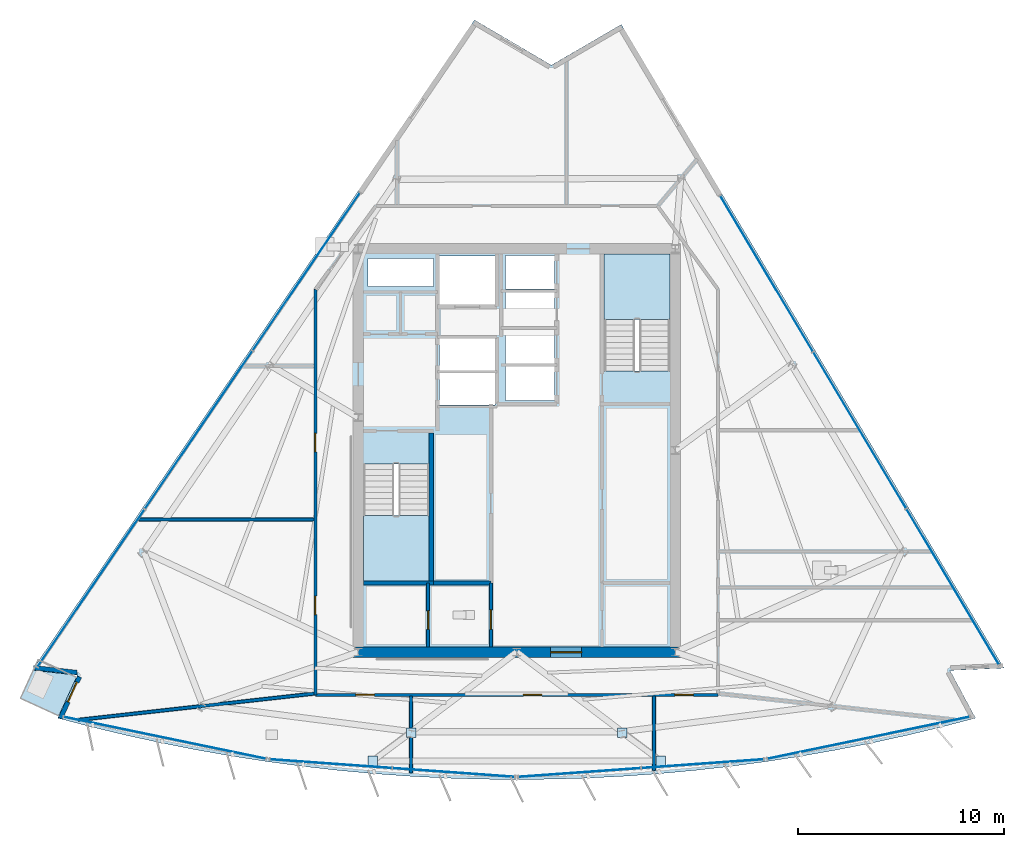
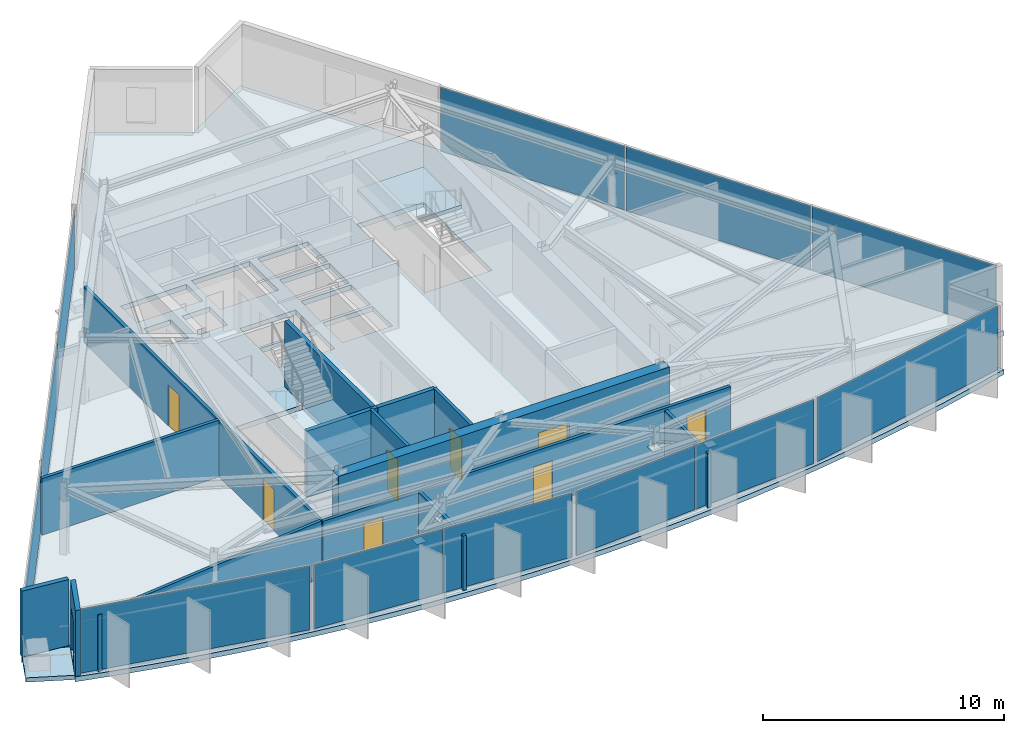
# One storey, part 6 of 12: 16 plates, 14 walls, 9 doors, 4 slabs, 9 openings, 8 elements without a shape of their own.
"""IFC4 building model written with IfcOpenShell, lengths in metres."""

import ifcopenshell
import ifcopenshell.guid

model = None  # the IFC model being written
_history = None  # IfcOwnerHistory: only IFC2X3 demands one
_inside = {}  # id of a spatial element -> (the spatial element, [elements in it])
_under = {}  # id of a project, library or spatial element -> (it, [spatial elements below it])
_declared = {}  # id of a project -> (the project, [libraries it declares])
_typed = {}  # id of a type object -> (the type object, [elements of that type])
_made_of = {}  # id of a material, layer set ... -> (it, [elements and type objects made of it])


def new_model(schema):
    """Start an empty IFC model of exactly this schema.

    Asked for "IFC4X3", IfcOpenShell would pick the latest addendum, in which some entities
    have other attributes; the version numbers below select the first issue.
    IFC2X3 requires an IfcOwnerHistory on every rooted entity: one is made here for all.
    """
    global model, _history
    if schema == "IFC4X3":
        model = ifcopenshell.file(schema_version=(4, 3, 0, 0))
    else:
        model = ifcopenshell.file(schema=schema)
    _inside.clear()
    _under.clear()
    _declared.clear()
    _typed.clear()
    _made_of.clear()
    _history = None
    if model.schema == "IFC2X3":
        org = make("IfcOrganization", Name="unknown")
        user = make(
            "IfcPersonAndOrganization",
            ThePerson=make("IfcPerson", FamilyName="unknown"),
            TheOrganization=org,
        )
        app = make(
            "IfcApplication",
            ApplicationDeveloper=org,
            Version="unknown",
            ApplicationFullName="unknown",
            ApplicationIdentifier="unknown",
        )
        _history = make(
            "IfcOwnerHistory",
            OwningUser=user,
            OwningApplication=app,
            ChangeAction="ADDED",
            CreationDate=0,
        )
    return model


def make(cls, **values):
    """One entity of the class cls with the attributes given. An attribute that is None is left unset."""
    return model.create_entity(
        cls, **{name: value for name, value in values.items() if value is not None}
    )


def rooted(cls, **values):
    """An entity with a GlobalId (a new one), such as an element, a storey or a relation."""
    return make(cls, GlobalId=ifcopenshell.guid.new(), OwnerHistory=_history, **values)


def si_unit(unit_type, name, prefix=None):
    """IfcSIUnit, for example si_unit("LENGTHUNIT", "METRE", prefix="MILLI")."""
    return make("IfcSIUnit", UnitType=unit_type, Prefix=prefix, Name=name)


def assignment(units):
    """IfcUnitAssignment: the units of a project."""
    return None if units is None else make("IfcUnitAssignment", Units=units)


def point(xyz):
    """IfcCartesianPoint."""
    return None if xyz is None else make("IfcCartesianPoint", Coordinates=xyz)


def direction(xyz):
    """IfcDirection."""
    return None if xyz is None else make("IfcDirection", DirectionRatios=xyz)


def frame(location, z_axis=None, x_axis=None):
    """IfcAxis2Placement3D, a coordinate frame: its origin and axes. An axis left out is left unset."""
    return make(
        "IfcAxis2Placement3D",
        Location=point(location),
        Axis=direction(z_axis),
        RefDirection=direction(x_axis),
    )


def frame_2d(location, x_axis=None):
    """IfcAxis2Placement2D, a coordinate frame in the plane: its origin and x axis."""
    return make(
        "IfcAxis2Placement2D", Location=point(location), RefDirection=direction(x_axis)
    )


def origin():
    """The frame at (0, 0, 0) with its axes left unset."""
    return frame((0.0, 0.0, 0.0))


def origin_2d():
    """The frame at (0, 0) in the plane with its x axis left unset."""
    return frame_2d((0.0, 0.0))


def place(relative_to, where):
    """IfcLocalPlacement: puts the frame where relative to a parent placement (None: the world)."""
    return make(
        "IfcLocalPlacement", PlacementRelTo=relative_to, RelativePlacement=where
    )


def context(
    kind, dimensions, precision=None, world=None, true_north=None, identifier=None
):
    """IfcGeometricRepresentationContext, for example the 3D "Model" context."""
    return make(
        "IfcGeometricRepresentationContext",
        ContextIdentifier=identifier,
        ContextType=kind,
        CoordinateSpaceDimension=dimensions,
        Precision=precision,
        WorldCoordinateSystem=world,
        TrueNorth=true_north,
    )


def subcontext(parent, identifier, kind, view, scale=None):
    """IfcGeometricRepresentationSubContext, for example "Body" below "Model"."""
    return make(
        "IfcGeometricRepresentationSubContext",
        ContextIdentifier=identifier,
        ContextType=kind,
        ParentContext=parent,
        TargetScale=scale,
        TargetView=view,
    )


def project(units=None, contexts=None):
    """IfcProject with its units and contexts."""
    return rooted(
        "IfcProject",
        Name="project",
        RepresentationContexts=contexts,
        UnitsInContext=assignment(units),
    )


def spatial(cls, under=None, at=None, **own):
    """A site, building, storey or space (cls), placed at a placement, below another one or the project."""
    s = rooted(cls, ObjectPlacement=at, **own)
    if under is not None:
        _under.setdefault(under.id(), (under, []))[1].append(s)
    return s


def polyline(points):
    """IfcPolyline through the points."""
    return make("IfcPolyline", Points=[point(p) for p in points])


def profile(cls, at=None, kind="AREA", **sizes):
    """A parametric profile (cls). Its sizes go by their IFC names, for example OverallWidth=200.0."""
    return make(cls, ProfileType=kind, Position=at, **sizes)


def rectangle(**sizes):
    """IfcRectangleProfileDef."""
    return profile("IfcRectangleProfileDef", **sizes)


def outline(outer, holes=None, kind="AREA"):
    """IfcArbitraryClosedProfileDef: a profile drawn as a closed curve; with holes, ...WithVoids."""
    if holes is None:
        return make("IfcArbitraryClosedProfileDef", ProfileType=kind, OuterCurve=outer)
    return make(
        "IfcArbitraryProfileDefWithVoids",
        ProfileType=kind,
        OuterCurve=outer,
        InnerCurves=holes,
    )


def extrude(swept, where, along, depth):
    """IfcExtrudedAreaSolid: the profile swept, set in the frame where, extruded along a direction by depth."""
    return make(
        "IfcExtrudedAreaSolid",
        SweptArea=swept,
        Position=where,
        ExtrudedDirection=direction(along),
        Depth=depth,
    )


def shape(context_of_items, identifier, shape_type, items):
    """IfcShapeRepresentation: the items that make up one representation, for example the "Body"."""
    return make(
        "IfcShapeRepresentation",
        ContextOfItems=context_of_items,
        RepresentationIdentifier=identifier,
        RepresentationType=shape_type,
        Items=items,
    )


def material(Name=None, Category=None):
    """IfcMaterial."""
    return make("IfcMaterial", Name=Name, Category=Category)


def layer(
    of_material, thickness, ventilated=None, Name=None, Category=None, Priority=None
):
    """IfcMaterialLayer: one layer of a wall or slab, of a material (None: an air gap)."""
    return make(
        "IfcMaterialLayer",
        Material=of_material,
        LayerThickness=thickness,
        IsVentilated=ventilated,
        Name=Name,
        Category=Category,
        Priority=Priority,
    )


def layer_set(layers, Name=None):
    """IfcMaterialLayerSet."""
    return make("IfcMaterialLayerSet", MaterialLayers=layers, LayerSetName=Name)


def made_of(thing, what):
    """Note that an element or type object is made of a material, layer set ...; save() writes the relation."""
    if what is not None:
        _made_of.setdefault(what.id(), (what, []))[1].append(thing)
    return thing


def type_object(cls, material=None, **own):
    """A type object (cls), such as IfcWallType, which elements share."""
    return made_of(rooted(cls, **own), material)


def element(
    cls,
    number,
    at=None,
    inside=None,
    cuts=None,
    type_object=None,
    material=None,
    context=None,
    identifier="Body",
    shape_type=None,
    held_by="IfcProductDefinitionShape",
    body=None,
    shapes=None,
    **own,
):
    """One element of the class cls, such as IfcWall. Its Tag is "e" and its number.

    at: its placement. inside: the storey or other place that contains it. cuts: it is an
    opening in that element (IfcRelVoidsElement). A single representation is given by context,
    identifier, shape_type and body (its items); several are given by shapes. held_by: the class
    of the entity that holds the representations. save() writes the other relations.
    """
    e = rooted(cls, Tag="e%d" % number, ObjectPlacement=at, **own)
    if body is not None:
        shapes = [shape(context, identifier, shape_type, body)]
    if shapes is not None:
        e.Representation = make(held_by, Representations=shapes)
    if inside is not None:
        _inside.setdefault(inside.id(), (inside, []))[1].append(e)
    if cuts is not None:
        rooted(
            "IfcRelVoidsElement", RelatingBuildingElement=cuts, RelatedOpeningElement=e
        )
    if type_object is not None:
        _typed.setdefault(type_object.id(), (type_object, []))[1].append(e)
    return made_of(e, material)


def fill(opening, filler):
    """IfcRelFillsElement: the door or window that sits in an opening."""
    return rooted(
        "IfcRelFillsElement",
        RelatingOpeningElement=opening,
        RelatedBuildingElement=filler,
    )


def aggregate(whole, parts):
    """IfcRelAggregates: a whole, such as a stair, and the parts it consists of."""
    return rooted("IfcRelAggregates", RelatingObject=whole, RelatedObjects=parts)


def save(model, path):
    """Write the relations noted so far, then the file.

    IfcRelAggregates (storeys below a building ...), IfcRelContainedInSpatialStructure (elements
    in a storey), IfcRelDefinesByType, IfcRelAssociatesMaterial and IfcRelDeclares: one each for
    every whole, place, type object, material and project.
    """
    for whole, parts in _under.values():
        aggregate(whole, parts)
    for where, things in _inside.values():
        rooted(
            "IfcRelContainedInSpatialStructure",
            RelatedElements=things,
            RelatingStructure=where,
        )
    for kind, things in _typed.values():
        rooted("IfcRelDefinesByType", RelatedObjects=things, RelatingType=kind)
    for what, things in _made_of.values():
        rooted("IfcRelAssociatesMaterial", RelatedObjects=things, RelatingMaterial=what)
    for by, libraries in _declared.values():
        rooted("IfcRelDeclares", RelatingContext=by, RelatedDefinitions=libraries)
    model.write(path)


model = new_model("IFC4")

# Units and contexts
model_context = context("Model", 3, precision=1e-05, world=origin(), true_north=direction((0.0, 1.0)))
body_context = subcontext(model_context, "Body", "Model", "MODEL_VIEW")
ifc_project = project(units=[si_unit("LENGTHUNIT", "METRE"), si_unit("AREAUNIT", "SQUARE_METRE"), si_unit("VOLUMEUNIT", "CUBIC_METRE"), si_unit("PLANEANGLEUNIT", "RADIAN"), si_unit("MASSUNIT", "GRAM", prefix="KILO")], contexts=[model_context])

# Site, building, storey
site_placement = place(None, origin())
site = spatial("IfcSite", under=ifc_project, at=site_placement, CompositionType="ELEMENT")
building_placement = place(site_placement, origin())
building = spatial("IfcBuilding", under=site, at=building_placement, Name="Savorim Split Tower", CompositionType="ELEMENT")
storey_placement = place(building_placement, frame((0.0, 0.0, 279.60009765625)))
storey = spatial("IfcBuildingStorey", under=building, at=storey_placement, Name="L74", CompositionType="ELEMENT", Elevation=279.60009765625)

# Curtain wall, plate
ifc_material_1 = material(Name="Dark Ceramic-Fritted Insulated Glass", Category="glass")
curtain_wall_type = type_object("IfcCurtainWallType", Name="CW-TWR-FRIT-B", PredefinedType="NOTDEFINED", material=ifc_material_1)
curtain_wall_1_placement = place(storey_placement, origin())
curtain_wall_1 = element("IfcCurtainWall", 1, at=curtain_wall_1_placement, inside=storey, type_object=curtain_wall_type, Name="L74 Curtain Wall CW-L74-SF1", PredefinedType="NOTDEFINED")
ifc_layer_1 = layer(ifc_material_1, 0.02587890625)
ifc_layer_set_1 = layer_set([ifc_layer_1], Name="CWP-FRITB-26")
plate_type_1 = type_object("IfcPlateType", Name="CWP-FRITB-26", PredefinedType="CURTAIN_PANEL", material=ifc_layer_set_1)
plate_1_placement = place(storey_placement, frame((-17.09716796875, -13.56201171875, 0.0498046875), z_axis=(0.0, 0.0, 1.0), x_axis=(0.979134690247, -0.20321234794, 0.0)))
plate_1 = element("IfcPlate", 2, at=plate_1_placement, type_object=plate_type_1, Name="CW-03 panel 1.1", PredefinedType="CURTAIN_PANEL", context=body_context, shape_type="SweptSolid", body=[
    extrude(rectangle(XDim=10.00537109375, YDim=0.02587890625, at=origin_2d()), origin(), (0.0, 0.0, 1.0), 3.25),
])
aggregate(curtain_wall_1, [plate_1])

# Curtain wall, plates
curtain_wall_2_placement = place(storey_placement, origin())
curtain_wall_2 = element("IfcCurtainWall", 3, at=curtain_wall_2_placement, inside=storey, type_object=curtain_wall_type, Name="L74 Curtain Wall CW-L74-SF2", PredefinedType="NOTDEFINED")
plate_2_placement = place(storey_placement, frame((-9.02587890625, -14.821044921875, 0.0498046875), z_axis=(0.0, 0.0, 1.0), x_axis=(0.99743643202, -0.071558116795, 0.0)))
plate_2 = element("IfcPlate", 4, at=plate_2_placement, type_object=plate_type_1, Name="CW-03 panel 1.1", PredefinedType="CURTAIN_PANEL", context=body_context, shape_type="SweptSolid", body=[
    extrude(rectangle(XDim=5.91845703125, YDim=0.02587890625, at=origin_2d()), origin(), (0.0, 0.0, 1.0), 3.25),
])
plate_3_placement = place(storey_placement, frame((-3.062744140625, -15.2490234375, 0.0498046875), z_axis=(0.0, 0.0, 1.0), x_axis=(0.99743643202, -0.071558116795, 0.0)))
plate_3 = element("IfcPlate", 5, at=plate_3_placement, type_object=plate_type_1, Name="CW-03 panel 2.1", PredefinedType="CURTAIN_PANEL", context=body_context, shape_type="SweptSolid", body=[
    extrude(rectangle(XDim=5.91845703125, YDim=0.02587890625, at=origin_2d()), origin(), (0.0, 0.0, 1.0), 3.25),
])
aggregate(curtain_wall_2, [plate_2, plate_3])

curtain_wall_3_placement = place(storey_placement, origin())
curtain_wall_3 = element("IfcCurtainWall", 6, at=curtain_wall_3_placement, inside=storey, type_object=curtain_wall_type, Name="L74 Curtain Wall CW-L74-SF3", PredefinedType="NOTDEFINED")
plate_4_placement = place(storey_placement, frame((3.062744140625, -15.2490234375, 0.0498046875), z_axis=(0.0, 0.0, 1.0), x_axis=(0.99743643202, 0.071558116795, 0.0)))
plate_4 = element("IfcPlate", 7, at=plate_4_placement, type_object=plate_type_1, Name="CW-03 panel 1.1", PredefinedType="CURTAIN_PANEL", context=body_context, shape_type="SweptSolid", body=[
    extrude(rectangle(XDim=5.91845703125, YDim=0.02587890625, at=origin_2d()), origin(), (0.0, 0.0, 1.0), 3.25),
])
plate_5_placement = place(storey_placement, frame((9.02587890625, -14.821044921875, 0.0498046875), z_axis=(0.0, 0.0, 1.0), x_axis=(0.99743643202, 0.071558116795, 0.0)))
plate_5 = element("IfcPlate", 8, at=plate_5_placement, type_object=plate_type_1, Name="CW-03 panel 2.1", PredefinedType="CURTAIN_PANEL", context=body_context, shape_type="SweptSolid", body=[
    extrude(rectangle(XDim=5.91845703125, YDim=0.02587890625, at=origin_2d()), origin(), (0.0, 0.0, 1.0), 3.25),
])
aggregate(curtain_wall_3, [plate_4, plate_5])

# Curtain wall, plate
curtain_wall_4_placement = place(storey_placement, origin())
curtain_wall_4 = element("IfcCurtainWall", 9, at=curtain_wall_4_placement, inside=storey, type_object=curtain_wall_type, Name="L74 Curtain Wall CW-L74-SF4", PredefinedType="NOTDEFINED")
plate_6_placement = place(storey_placement, frame((17.09716796875, -13.56201171875, 0.0498046875), z_axis=(0.0, 0.0, 1.0), x_axis=(0.979134690247, 0.20321234794, 0.0)))
plate_6 = element("IfcPlate", 10, at=plate_6_placement, type_object=plate_type_1, Name="CW-03 panel 1.1", PredefinedType="CURTAIN_PANEL", context=body_context, shape_type="SweptSolid", body=[
    extrude(rectangle(XDim=10.00537109375, YDim=0.02587890625, at=origin_2d()), origin(), (0.0, 0.0, 1.0), 3.25),
])
aggregate(curtain_wall_4, [plate_6])

# Curtain wall, plates
curtain_wall_5_placement = place(storey_placement, origin())
curtain_wall_5 = element("IfcCurtainWall", 11, at=curtain_wall_5_placement, inside=storey, type_object=curtain_wall_type, Name="L74 Curtain Wall CW-L74-EAST", PredefinedType="NOTDEFINED")
plate_7_placement = place(storey_placement, frame((21.18701171875, -6.226318359375, 0.0498046875), z_axis=(0.0, 0.0, 1.0), x_axis=(-0.511091684727, 0.859526200766, 0.0)))
plate_7 = element("IfcPlate", 12, at=plate_7_placement, type_object=plate_type_1, Name="CW-03 panel 1.1", PredefinedType="CURTAIN_PANEL", context=body_context, shape_type="SweptSolid", body=[
    extrude(rectangle(XDim=8.775390625, YDim=0.02587890625, at=origin_2d()), origin(), (0.0, 0.0, 1.0), 3.25),
])
plate_8_placement = place(storey_placement, frame((16.66357421875, 1.380615234375, 0.0498046875), z_axis=(0.0, 0.0, 1.0), x_axis=(-0.511091684727, 0.859526200766, 0.0)))
plate_8 = element("IfcPlate", 13, at=plate_8_placement, type_object=plate_type_1, Name="CW-03 panel 2.1", PredefinedType="CURTAIN_PANEL", context=body_context, shape_type="SweptSolid", body=[
    extrude(rectangle(XDim=8.80517578125, YDim=0.02587890625, at=origin_2d()), origin(), (0.0, 0.0, 1.0), 3.25),
])
plate_9_placement = place(storey_placement, frame((12.140380859375, 8.98779296875, 0.0498046875), z_axis=(0.0, 0.0, 1.0), x_axis=(-0.511091684727, 0.859526200766, 0.0)))
plate_9 = element("IfcPlate", 14, at=plate_9_placement, type_object=plate_type_1, Name="CW-03 panel 3.1", PredefinedType="CURTAIN_PANEL", context=body_context, shape_type="SweptSolid", body=[
    extrude(rectangle(XDim=8.775390625, YDim=0.02587890625, at=origin_2d()), origin(), (0.0, 0.0, 1.0), 3.25),
])
aggregate(curtain_wall_5, [plate_7, plate_8, plate_9])

curtain_wall_6_placement = place(storey_placement, origin())
curtain_wall_6 = element("IfcCurtainWall", 15, at=curtain_wall_6_placement, inside=storey, type_object=curtain_wall_type, Name="L74 Curtain Wall CW-L74-WEST", PredefinedType="NOTDEFINED")
plate_10_placement = place(storey_placement, frame((-10.220703125, 9.082275390625, 0.0498046875), z_axis=(0.0, 0.0, 1.0), x_axis=(-0.562470084107, -0.826817636776, 0.0)))
plate_10 = element("IfcPlate", 16, at=plate_10_placement, type_object=plate_type_1, Name="CW-03 panel 1.1", PredefinedType="CURTAIN_PANEL", context=body_context, shape_type="SweptSolid", body=[
    extrude(rectangle(XDim=9.22265625, YDim=0.02587890625, at=origin_2d()), origin(), (0.0, 0.0, 1.0), 3.25),
])
plate_11_placement = place(storey_placement, frame((-15.450439453125, 1.394775390625, 0.0498046875), z_axis=(0.0, 0.0, 1.0), x_axis=(-0.562470084107, -0.826817636776, 0.0)))
plate_11 = element("IfcPlate", 17, at=plate_11_placement, type_object=plate_type_1, Name="CW-03 panel 2.1", PredefinedType="CURTAIN_PANEL", context=body_context, shape_type="SweptSolid", body=[
    extrude(rectangle(XDim=9.252685546875, YDim=0.02587890625, at=origin_2d()), origin(), (0.0, 0.0, 1.0), 3.25),
])
plate_12_placement = place(storey_placement, frame((-20.679931640625, -6.292724609375, 0.0498046875), z_axis=(0.0, 0.0, 1.0), x_axis=(-0.562470084107, -0.826817636776, 0.0)))
plate_12 = element("IfcPlate", 18, at=plate_12_placement, type_object=plate_type_1, Name="CW-03 panel 3.1", PredefinedType="CURTAIN_PANEL", context=body_context, shape_type="SweptSolid", body=[
    extrude(rectangle(XDim=9.22265625, YDim=0.02587890625, at=origin_2d()), origin(), (0.0, 0.0, 1.0), 3.25),
])
aggregate(curtain_wall_6, [plate_10, plate_11, plate_12])

# Plates
ifc_material_2 = material(Name="Steel S460", Category="steel")
ifc_layer_2 = layer(ifc_material_2, 0.02490234375)
ifc_layer_set_2 = layer_set([ifc_layer_2], Name="PLT-NODE-CN1")
plate_type_2 = type_object("IfcPlateType", Name="PLT-NODE-CN1", PredefinedType="SHEET", material=ifc_layer_set_2)
for number, where, z_axis, x_axis, name in (
    (19, (-5.1220703125, -13.305419921875, 2.4375), (0.0, 0.0, 1.0), (1.0, 0.0, 0.0), "L74 Bay Strut Column Gusset Plate 1"),
    (20, (-6.989013671875, -14.681884765625, 2.807373046875), (0.0, 0.0, 1.0), (1.0, 0.0, 0.0), "L74 Bay Strut Tip Gusset Plate 1"),
    (21, (5.1220703125, -13.305419921875, 2.4375), (0.0, 0.0, 1.0), (1.0, 0.0, 0.0), "L74 Bay Strut Column Gusset Plate 2"),
    (22, (6.989013671875, -14.681884765625, 2.807373046875), (0.0, 0.0, 1.0), (1.0, 0.0, 0.0), "L74 Bay Strut Tip Gusset Plate 2"),
):
    element("IfcPlate", number, at=place(storey_placement, frame(where, z_axis=z_axis, x_axis=x_axis)), inside=storey, type_object=plate_type_2, Name=name, PredefinedType="SHEET", context=body_context, shape_type="SweptSolid", body=[
        extrude(rectangle(XDim=0.4599609375, YDim=0.4599609375, at=origin_2d()), origin(), (0.0, 0.0, 1.0), 0.02490234375),
    ])

# Slab
ifc_material_3 = material(Name="Concrete C50/60", Category="concrete")
ifc_layer_3 = layer(ifc_material_3, 0.219970703125)
ifc_layer_set_3 = layer_set([ifc_layer_3], Name="SLB-BAL-220")
slab_type_1 = type_object("IfcSlabType", Name="SLB-BAL-220", PredefinedType="FLOOR", material=ifc_layer_set_3)
slab_1_placement = place(storey_placement, frame((0.0, 0.0, -0.22021484375)))
element("IfcSlab", 23, at=slab_1_placement, inside=storey, type_object=slab_type_1, Name="L74 Notched Corner Planted Tree Balcony Slab", PredefinedType="FLOOR", context=body_context, shape_type="SweptSolid", body=[
    extrude(outline(polyline([(-22.24853515625, -12.494873046875), (-21.3876953125, -10.62158203125), (-21.6982421875, -10.47900390625), (-23.481201171875, -10.27978515625), (-24.106689453125, -11.64111328125), (-22.24853515625, -12.494873046875)])), origin(), (0.0, 0.0, 1.0), 0.22021484375),
])

# Stair, slab
stair_type = type_object("IfcStairType", Name="STR-DOG-3600", PredefinedType="HALF_TURN_STAIR", material=ifc_material_3)
stair_1_placement = place(storey_placement, origin())
stair_1 = element("IfcStair", 24, at=stair_1_placement, inside=storey, type_object=stair_type, Name="L74 Core Protected Exit Stair ST-1", PredefinedType="HALF_TURN_STAIR")
ifc_layer_4 = layer(ifc_material_3, 0.199951171875)
ifc_layer_set_4 = layer_set([ifc_layer_4], Name="SLB-LND-200")
slab_type_2 = type_object("IfcSlabType", Name="SLB-LND-200", PredefinedType="LANDING", material=ifc_layer_set_4)
slab_2_placement = place(storey_placement, frame((0.0, 0.0, 1.599853515625)))
slab_2 = element("IfcSlab", 25, at=slab_2_placement, type_object=slab_type_2, Name="ST-1 landing 1", PredefinedType="LANDING", context=body_context, shape_type="SweptSolid", body=[
    extrude(outline(polyline([(-7.449951171875, -2.77001953125), (-7.449951171875, -5.949951171875), (-4.25, -5.949951171875), (-4.25, -2.77001953125), (-7.449951171875, -2.77001953125)])), origin(), (0.0, 0.0, 1.0), 0.199951171875),
])
aggregate(stair_1, [slab_2])

stair_2_placement = place(storey_placement, origin())
stair_2 = element("IfcStair", 26, at=stair_2_placement, inside=storey, type_object=stair_type, Name="L74 Core Protected Exit Stair ST-2", PredefinedType="HALF_TURN_STAIR")
slab_3_placement = place(storey_placement, frame((0.0, 0.0, 1.599853515625)))
slab_3 = element("IfcSlab", 27, at=slab_3_placement, type_object=slab_type_2, Name="ST-2 landing 1", PredefinedType="LANDING", context=body_context, shape_type="SweptSolid", body=[
    extrude(outline(polyline([(7.449951171875, 6.77001953125), (7.449951171875, 9.949951171875), (4.25, 9.949951171875), (4.25, 6.77001953125), (7.449951171875, 6.77001953125)])), origin(), (0.0, 0.0, 1.0), 0.199951171875),
])
aggregate(stair_2, [slab_3])

# Slab
ifc_layer_5 = layer(ifc_material_3, 0.25)
ifc_layer_set_5 = layer_set([ifc_layer_5], Name="SLB-TWR-250")
slab_type_3 = type_object("IfcSlabType", Name="SLB-TWR-250", PredefinedType="FLOOR", material=ifc_layer_set_5)
slab_4_placement = place(storey_placement, frame((0.0, 0.0, -0.25)))
element("IfcSlab", 28, at=slab_4_placement, inside=storey, type_object=slab_type_3, Name="L74 Structural Floor Slab", PredefinedType="FLOOR", context=body_context, shape_type="SweptSolid", body=[
    extrude(outline(polyline([(-22.2939453125, -12.60595703125), (-20.615234375, -13.045166015625), (-18.927734375, -13.44970703125), (-17.232421875, -13.819580078125), (-15.52978515625, -14.15478515625), (-13.820556640625, -14.455078125), (-12.105712890625, -14.720458984375), (-10.3857421875, -14.95068359375), (-8.66162109375, -15.1455078125), (-6.93359375, -15.30517578125), (-5.20263671875, -15.42919921875), (-3.4697265625, -15.51806640625), (-1.735107421875, -15.5712890625), (0.0, -15.589111328125), (1.735107421875, -15.5712890625), (3.4697265625, -15.51806640625), (5.20263671875, -15.42919921875), (6.93359375, -15.30517578125), (8.66162109375, -15.1455078125), (10.3857421875, -14.95068359375), (12.105712890625, -14.720458984375), (13.820556640625, -14.455078125), (15.52978515625, -14.15478515625), (17.232421875, -13.819580078125), (18.927734375, -13.44970703125), (20.615234375, -13.045166015625), (22.2939453125, -12.60595703125), (21.050537109375, -10.288818359375), (23.67578125, -10.177001953125), (5.08203125, 21.0927734375), (1.687744140625, 19.114501953125), (-2.047607421875, 21.31005859375), (-23.530517578125, -10.269287109375), (-21.333251953125, -10.514892578125), (-22.2939453125, -12.60595703125)]), holes=[polyline([(-7.449951171875, -0.25390625), (-7.449951171875, -5.949951171875), (-4.25, -5.949951171875), (-4.25, -0.25390625), (-7.449951171875, -0.25390625)]), polyline([(7.449951171875, 4.25390625), (7.449951171875, 9.949951171875), (4.25, 9.949951171875), (4.25, 4.25390625), (7.449951171875, 4.25390625)]), polyline([(-0.550048828125, 2.830078125), (1.85009765625, 2.830078125), (1.85009765625, 4.469970703125), (-0.550048828125, 4.469970703125), (-0.550048828125, 2.830078125)]), polyline([(-0.550048828125, 4.6298828125), (1.85009765625, 4.6298828125), (1.85009765625, 6.27001953125), (-0.550048828125, 6.27001953125), (-0.550048828125, 4.6298828125)]), polyline([(-0.550048828125, 6.429931640625), (1.85009765625, 6.429931640625), (1.85009765625, 8.070068359375), (-0.550048828125, 8.070068359375), (-0.550048828125, 6.429931640625)]), polyline([(-0.550048828125, 8.22998046875), (1.85009765625, 8.22998046875), (1.85009765625, 9.8701171875), (-0.550048828125, 9.8701171875), (-0.550048828125, 8.22998046875)]), polyline([(-3.75, 2.60009765625), (-1.050048828125, 2.60009765625), (-1.050048828125, 4.159912109375), (-3.75, 4.159912109375), (-3.75, 2.60009765625)]), polyline([(-3.75, 4.280029296875), (-1.050048828125, 4.280029296875), (-1.050048828125, 5.840087890625), (-3.75, 5.840087890625), (-3.75, 4.280029296875)]), polyline([(-3.75, 7.449951171875), (-0.949951171875, 7.449951171875), (-0.949951171875, 9.85009765625), (-3.75, 9.85009765625), (-3.75, 7.449951171875)]), polyline([(-7.219970703125, 6.320068359375), (-5.919921875, 6.320068359375), (-5.919921875, 7.820068359375), (-7.219970703125, 7.820068359375), (-7.219970703125, 6.320068359375)]), polyline([(-5.3798828125, 6.320068359375), (-4.050048828125, 6.320068359375), (-4.050048828125, 7.820068359375), (-5.3798828125, 7.820068359375), (-5.3798828125, 6.320068359375)]), polyline([(-7.219970703125, 8.360107421875), (-4.050048828125, 8.360107421875), (-4.050048828125, 9.719970703125), (-7.219970703125, 9.719970703125), (-7.219970703125, 8.360107421875)])]), origin(), (0.0, 0.0, 1.0), 0.25),
])

# Wall, opening, door
ifc_material_4 = material(Name="Concrete C60/75", Category="concrete")
ifc_layer_6 = layer(ifc_material_4, 0.5)
ifc_layer_set_6 = layer_set([ifc_layer_6], Name="WAL-COR-SH500")
wall_type_1 = type_object("IfcWallType", Name="WAL-COR-SH500", PredefinedType="SHEAR", material=ifc_layer_set_6)
wall_1_placement = place(storey_placement, frame((-7.949951171875, -9.39990234375, 0.0), z_axis=(0.0, 0.0, 1.0), x_axis=(1.0, 0.0, 0.0)))
wall_1 = element("IfcWall", 29, at=wall_1_placement, inside=storey, type_object=wall_type_1, Name="L74 Offset Core South Shear Wall", PredefinedType="SHEAR", context=body_context, shape_type="SweptSolid", body=[
    extrude(rectangle(XDim=15.89990234375, YDim=0.5, at=frame_2d((7.949951171875, 0.0))), origin(), (0.0, 0.0, 1.0), 3.349853515625),
])
opening_1_placement = place(wall_1_placement, frame((9.60009765625, 0.0, 0.0)))
opening_1 = element("IfcOpeningElement", 30, at=opening_1_placement, cuts=wall_1, Name="Opening DI-02", PredefinedType="OPENING", context=body_context, shape_type="SweptSolid", body=[
    extrude(rectangle(XDim=1.5, YDim=2.199951171875, at=frame_2d((0.75, 1.10009765625))), frame((0.0, 0.260009765625, 0.0), z_axis=(0.0, -1.0, 0.0), x_axis=(1.0, 0.0, 0.0)), (0.0, 0.0, 1.0), 0.52001953125),
])
ifc_material_5 = material(Name="Timber Fire Door Leaf", Category="wood")
door_type_1 = type_object("IfcDoorType", Name="DOR-DBL-1500", OperationType="NOTDEFINED", PredefinedType="DOOR", material=ifc_material_5)
door_1_placement = place(opening_1_placement, origin())
door_1 = element("IfcDoor", 31, at=door_1_placement, inside=storey, type_object=door_type_1, Name="DOR-L74-COR-LLOB - L74 Lift Lobby Main Rated Door", OperationType="DOUBLE_DOOR_SINGLE_SWING", OverallHeight=2.199951171875, OverallWidth=1.5, PredefinedType="DOOR", context=body_context, shape_type="SweptSolid", body=[
    extrude(rectangle(XDim=1.5, YDim=2.199951171875, at=frame_2d((0.75, 1.10009765625))), frame((0.0, 0.02490234375, 0.0), z_axis=(0.0, -1.0, 0.0), x_axis=(1.0, 0.0, 0.0)), (0.0, 0.0, 1.0), 0.050048828125),
])
fill(opening_1, door_1)

# Wall
ifc_material_6 = material(Name="Precast concrete C40/50", Category="concrete")
ifc_layer_7 = layer(ifc_material_6, 0.219970703125)
ifc_layer_set_7 = layer_set([ifc_layer_7], Name="WAL-EXT-CRN220")
wall_type_2 = type_object("IfcWallType", Name="WAL-EXT-CRN220", PredefinedType="SOLIDWALL", material=ifc_layer_set_7)
wall_2_placement = place(storey_placement, frame((-21.359619140625, -10.39111328125, 0.0), z_axis=(0.0, 0.0, 1.0), x_axis=(-0.993817888275, 0.111022542511, 0.0)))
element("IfcWall", 32, at=wall_2_placement, inside=storey, type_object=wall_type_2, Name="L74 Notched Corner Facade Wall SW1", PredefinedType="SOLIDWALL", context=body_context, shape_type="SweptSolid", body=[
    extrude(rectangle(XDim=2.130859375, YDim=0.219970703125, at=frame_2d((1.0654296875, 0.0))), origin(), (0.0, 0.0, 1.0), 3.349853515625),
])

# Wall, opening, door
wall_3_placement = place(storey_placement, frame((-22.168212890625, -12.619873046875, 0.0), z_axis=(0.0, 0.0, 1.0), x_axis=(0.417426589535, 0.908710648308, 0.0)))
wall_3 = element("IfcWall", 33, at=wall_3_placement, inside=storey, type_object=wall_type_2, Name="L74 Notched Corner Facade Wall SW", PredefinedType="SOLIDWALL", context=body_context, shape_type="SweptSolid", body=[
    extrude(rectangle(XDim=2.221435546875, YDim=0.219970703125, at=frame_2d((1.11083984375, 0.0))), origin(), (0.0, 0.0, 1.0), 3.349853515625),
])
opening_2_placement = place(wall_3_placement, frame((0.8857421875, 0.0, 0.0)))
opening_2 = element("IfcOpeningElement", 34, at=opening_2_placement, cuts=wall_3, Name="Opening DB-01", PredefinedType="OPENING", context=body_context, shape_type="SweptSolid", body=[
    extrude(rectangle(XDim=1.050048828125, YDim=2.14990234375, at=frame_2d((0.52490234375, 1.074951171875))), frame((0.0, 0.119873046875, 0.0), z_axis=(0.0, -1.0, 0.0), x_axis=(1.0, 0.0, 0.0)), (0.0, 0.0, 1.0), 0.239990234375),
])
ifc_material_7 = material(Name="Charcoal Anodised Aluminium", Category="aluminium")
door_type_2 = type_object("IfcDoorType", Name="DOR-BAL-1050", OperationType="NOTDEFINED", PredefinedType="DOOR", material=ifc_material_7)
door_2_placement = place(opening_2_placement, origin())
door_2 = element("IfcDoor", 35, at=door_2_placement, inside=storey, type_object=door_type_2, Name="DOR-L74-TBAL-SW - L74 Planted Tree Balcony Door SW", OperationType="SINGLE_SWING_LEFT", OverallHeight=2.14990234375, OverallWidth=1.050048828125, PredefinedType="DOOR", context=body_context, shape_type="SweptSolid", body=[
    extrude(rectangle(XDim=1.050048828125, YDim=2.14990234375, at=frame_2d((0.52490234375, 1.074951171875))), frame((0.0, 0.02490234375, 0.0), z_axis=(0.0, -1.0, 0.0), x_axis=(1.0, 0.0, 0.0)), (0.0, 0.0, 1.0), 0.050048828125),
])
fill(opening_2, door_2)

# Walls
ifc_layer_8 = layer(ifc_material_3, 0.199951171875)
ifc_layer_set_8 = layer_set([ifc_layer_8], Name="WAL-INT-RC200")
wall_type_3 = type_object("IfcWallType", Name="WAL-INT-RC200", PredefinedType="SOLIDWALL", material=ifc_layer_set_8)
wall_4_placement = place(storey_placement, frame((-4.14990234375, -5.949951171875, 0.0), z_axis=(0.0, 0.0, 1.0), x_axis=(0.0, 1.0, 0.0)))
element("IfcWall", 36, at=wall_4_placement, inside=storey, type_object=wall_type_3, Name="L74 Structural Shaft Wall W-L74-CR02", PredefinedType="SOLIDWALL", context=body_context, shape_type="SweptSolid", body=[
    extrude(rectangle(XDim=7.199951171875, YDim=0.199951171875, at=frame_2d((3.60009765625, 0.0))), origin(), (0.0, 0.0, 1.0), 3.349853515625),
])
wall_5_placement = place(storey_placement, frame((-7.449951171875, -6.050048828125, 0.0), z_axis=(0.0, 0.0, 1.0), x_axis=(1.0, 0.0, 0.0)))
element("IfcWall", 37, at=wall_5_placement, inside=storey, type_object=wall_type_3, Name="L74 Structural Shaft Wall W-L74-KSEP-W", PredefinedType="SOLIDWALL", context=body_context, shape_type="SweptSolid", body=[
    extrude(rectangle(XDim=3.39990234375, YDim=0.199951171875, at=frame_2d((1.699951171875, 0.0))), origin(), (0.0, 0.0, 1.0), 3.349853515625),
])
wall_6_placement = place(storey_placement, frame((-4.0400390625, -6.050048828125, 0.0), z_axis=(0.0, 0.0, 1.0), x_axis=(1.0, 0.0, 0.0)))
element("IfcWall", 38, at=wall_6_placement, inside=storey, type_object=wall_type_3, Name="L74 Partition W-L74-KSEP-W2", PredefinedType="SOLIDWALL", context=body_context, shape_type="SweptSolid", body=[
    extrude(rectangle(XDim=2.7900390625, YDim=0.199951171875, at=frame_2d((1.39501953125, 0.0))), origin(), (0.0, 0.0, 1.0), 3.349853515625),
])

# Wall, opening, door
ifc_material_8 = material(Name="Acoustic Gypsum Partition Board")
ifc_layer_9 = layer(ifc_material_8, 0.14990234375)
ifc_layer_set_9 = layer_set([ifc_layer_9], Name="WAL-PAR-150")
wall_type_4 = type_object("IfcWallType", Name="WAL-PAR-150", PredefinedType="PARTITIONING", material=ifc_layer_set_9)
wall_7_placement = place(storey_placement, frame((-1.25, -9.14501953125, 0.0), z_axis=(0.0, 0.0, 1.0), x_axis=(0.0, 1.0, 0.0)))
wall_7 = element("IfcWall", 39, at=wall_7_placement, inside=storey, type_object=wall_type_4, Name="L74 Partition W-L74-KLOB-W", PredefinedType="PARTITIONING", context=body_context, shape_type="SweptSolid", body=[
    extrude(rectangle(XDim=3.094970703125, YDim=0.14990234375, at=frame_2d((1.54736328125, 0.0))), origin(), (0.0, 0.0, 1.0), 3.349853515625),
])
opening_3_placement = place(wall_7_placement, frame((0.844970703125, 0.0, 0.0)))
opening_3 = element("IfcOpeningElement", 40, at=opening_3_placement, cuts=wall_7, Name="Opening DI-10", PredefinedType="OPENING", context=body_context, shape_type="SweptSolid", body=[
    extrude(rectangle(XDim=0.949951171875, YDim=2.10009765625, at=frame_2d((0.47509765625, 1.050048828125))), frame((0.0, 0.0849609375, 0.0), z_axis=(0.0, -1.0, 0.0), x_axis=(1.0, 0.0, 0.0)), (0.0, 0.0, 1.0), 0.169921875),
])
ifc_material_9 = material(Name="Oak Veneer Acoustic Door")
door_type_3 = type_object("IfcDoorType", Name="DOR-WC-950", OperationType="NOTDEFINED", PredefinedType="DOOR", material=ifc_material_9)
door_3_placement = place(opening_3_placement, origin())
door_3 = element("IfcDoor", 41, at=door_3_placement, inside=storey, type_object=door_type_3, Name="DR-L74-K1WC - L74 Core Accessible WC Door", OperationType="SINGLE_SWING_LEFT", OverallHeight=2.10009765625, OverallWidth=0.949951171875, PredefinedType="DOOR", context=body_context, shape_type="SweptSolid", body=[
    extrude(rectangle(XDim=0.949951171875, YDim=2.10009765625, at=frame_2d((0.47509765625, 1.050048828125))), frame((0.0, 0.02490234375, 0.0), z_axis=(0.0, -1.0, 0.0), x_axis=(1.0, 0.0, 0.0)), (0.0, 0.0, 1.0), 0.050048828125),
])
fill(opening_3, door_3)

wall_8_placement = place(storey_placement, frame((-4.300048828125, -9.14501953125, 0.0), z_axis=(0.0, 0.0, 1.0), x_axis=(0.0, 1.0, 0.0)))
wall_8 = element("IfcWall", 42, at=wall_8_placement, inside=storey, type_object=wall_type_4, Name="L74 Partition W-L74-K1W", PredefinedType="PARTITIONING", context=body_context, shape_type="SweptSolid", body=[
    extrude(rectangle(XDim=3.094970703125, YDim=0.14990234375, at=frame_2d((1.54736328125, 0.0))), origin(), (0.0, 0.0, 1.0), 3.349853515625),
])
opening_4_placement = place(wall_8_placement, frame((0.844970703125, 0.0, 0.0)))
opening_4 = element("IfcOpeningElement", 43, at=opening_4_placement, cuts=wall_8, Name="Opening DI-06", PredefinedType="OPENING", context=body_context, shape_type="SweptSolid", body=[
    extrude(rectangle(XDim=0.89990234375, YDim=2.10009765625, at=frame_2d((0.449951171875, 1.050048828125))), frame((0.0, 0.0849609375, 0.0), z_axis=(0.0, -1.0, 0.0), x_axis=(1.0, 0.0, 0.0)), (0.0, 0.0, 1.0), 0.169921875),
])
door_type_4 = type_object("IfcDoorType", Name="DOR-FIR-900", OperationType="NOTDEFINED", PredefinedType="DOOR", material=ifc_material_5)
door_4_placement = place(opening_4_placement, origin())
door_4 = element("IfcDoor", 44, at=door_4_placement, inside=storey, type_object=door_type_4, Name="DR-L74-K1HK - L74 Housekeeping Store Door", OperationType="SINGLE_SWING_RIGHT", OverallHeight=2.10009765625, OverallWidth=0.89990234375, PredefinedType="DOOR", context=body_context, shape_type="SweptSolid", body=[
    extrude(rectangle(XDim=0.89990234375, YDim=2.10009765625, at=frame_2d((0.449951171875, 1.050048828125))), frame((0.0, 0.02490234375, 0.0), z_axis=(0.0, -1.0, 0.0), x_axis=(1.0, 0.0, 0.0)), (0.0, 0.0, 1.0), 0.050048828125),
])
fill(opening_4, door_4)

# Wall, openings, doors
wall_9_placement = place(storey_placement, frame((-9.780029296875, -11.47998046875, 0.0), z_axis=(0.0, 0.0, 1.0), x_axis=(0.0, 1.0, 0.0)))
wall_9 = element("IfcWall", 45, at=wall_9_placement, inside=storey, type_object=wall_type_4, Name="L74 Partition W-L74-COR-01", PredefinedType="PARTITIONING", context=body_context, shape_type="SweptSolid", body=[
    extrude(rectangle(XDim=19.705810546875, YDim=0.14990234375, at=frame_2d((9.85302734375, 0.0))), origin(), (0.0, 0.0, 1.0), 2.824951171875),
])
opening_5_placement = place(wall_9_placement, frame((11.806884765625, 0.0, 0.0)))
opening_5 = element("IfcOpeningElement", 46, at=opening_5_placement, cuts=wall_9, Name="Opening DI-06", PredefinedType="OPENING", context=body_context, shape_type="SweptSolid", body=[
    extrude(rectangle(XDim=0.89990234375, YDim=2.10009765625, at=frame_2d((0.449951171875, 1.050048828125))), frame((0.0, 0.0849609375, 0.0), z_axis=(0.0, -1.0, 0.0), x_axis=(1.0, 0.0, 0.0)), (0.0, 0.0, 1.0), 0.169921875),
])
opening_6_placement = place(wall_9_placement, frame((3.902587890625, 0.0, 0.0)))
opening_6 = element("IfcOpeningElement", 47, at=opening_6_placement, cuts=wall_9, Name="Opening DI-06", PredefinedType="OPENING", context=body_context, shape_type="SweptSolid", body=[
    extrude(rectangle(XDim=0.89990234375, YDim=2.10009765625, at=frame_2d((0.449951171875, 1.050048828125))), frame((0.0, 0.0849609375, 0.0), z_axis=(0.0, -1.0, 0.0), x_axis=(1.0, 0.0, 0.0)), (0.0, 0.0, 1.0), 0.169921875),
])
door_5_placement = place(opening_5_placement, origin())
door_5 = element("IfcDoor", 48, at=door_5_placement, inside=storey, type_object=door_type_4, Name="DR-L74-RM01 - L74 Quiet Study Room Entry Door", OperationType="SINGLE_SWING_RIGHT", OverallHeight=2.10009765625, OverallWidth=0.89990234375, PredefinedType="DOOR", context=body_context, shape_type="SweptSolid", body=[
    extrude(rectangle(XDim=0.89990234375, YDim=2.10009765625, at=frame_2d((0.449951171875, 1.050048828125))), frame((0.0, 0.02490234375, 0.0), z_axis=(0.0, -1.0, 0.0), x_axis=(1.0, 0.0, 0.0)), (0.0, 0.0, 1.0), 0.050048828125),
])
fill(opening_5, door_5)
door_6_placement = place(opening_6_placement, origin())
door_6 = element("IfcDoor", 49, at=door_6_placement, inside=storey, type_object=door_type_4, Name="DR-L74-RM02 - L74 Co-Working Commons Entry Door", OperationType="SINGLE_SWING_LEFT", OverallHeight=2.10009765625, OverallWidth=0.89990234375, PredefinedType="DOOR", context=body_context, shape_type="SweptSolid", body=[
    extrude(rectangle(XDim=0.89990234375, YDim=2.10009765625, at=frame_2d((0.449951171875, 1.050048828125))), frame((0.0, 0.02490234375, 0.0), z_axis=(0.0, -1.0, 0.0), x_axis=(1.0, 0.0, 0.0)), (0.0, 0.0, 1.0), 0.050048828125),
])
fill(opening_6, door_6)

wall_10_placement = place(storey_placement, frame((9.780029296875, -11.47998046875, 0.0), z_axis=(0.0, 0.0, 1.0), x_axis=(-1.0, 0.0, 0.0)))
wall_10 = element("IfcWall", 50, at=wall_10_placement, inside=storey, type_object=wall_type_4, Name="L74 Partition W-L74-COR-06", PredefinedType="PARTITIONING", context=body_context, shape_type="SweptSolid", body=[
    extrude(rectangle(XDim=19.56005859375, YDim=0.14990234375, at=frame_2d((9.780029296875, 0.0))), origin(), (0.0, 0.0, 1.0), 2.875),
])
opening_7_placement = place(wall_10_placement, frame((16.694091796875, 0.0, 0.0)))
opening_7 = element("IfcOpeningElement", 51, at=opening_7_placement, cuts=wall_10, Name="Opening DI-06", PredefinedType="OPENING", context=body_context, shape_type="SweptSolid", body=[
    extrude(rectangle(XDim=0.89990234375, YDim=2.10009765625, at=frame_2d((0.449951171875, 1.050048828125))), frame((0.0, 0.0849609375, 0.0), z_axis=(0.0, -1.0, 0.0), x_axis=(1.0, 0.0, 0.0)), (0.0, 0.0, 1.0), 0.169921875),
])
opening_8_placement = place(wall_10_placement, frame((8.556396484375, 0.0, 0.0)))
opening_8 = element("IfcOpeningElement", 52, at=opening_8_placement, cuts=wall_10, Name="Opening DI-06", PredefinedType="OPENING", context=body_context, shape_type="SweptSolid", body=[
    extrude(rectangle(XDim=0.89990234375, YDim=2.10009765625, at=frame_2d((0.449951171875, 1.050048828125))), frame((0.0, 0.0849609375, 0.0), z_axis=(0.0, -1.0, 0.0), x_axis=(1.0, 0.0, 0.0)), (0.0, 0.0, 1.0), 0.169921875),
])
opening_9_placement = place(wall_10_placement, frame((1.192138671875, 0.0, 0.0)))
opening_9 = element("IfcOpeningElement", 53, at=opening_9_placement, cuts=wall_10, Name="Opening DI-06", PredefinedType="OPENING", context=body_context, shape_type="SweptSolid", body=[
    extrude(rectangle(XDim=0.89990234375, YDim=2.10009765625, at=frame_2d((0.449951171875, 1.050048828125))), frame((0.0, 0.0849609375, 0.0), z_axis=(0.0, -1.0, 0.0), x_axis=(1.0, 0.0, 0.0)), (0.0, 0.0, 1.0), 0.169921875),
])
door_7_placement = place(opening_7_placement, origin())
door_7 = element("IfcDoor", 54, at=door_7_placement, inside=storey, type_object=door_type_4, Name="DR-L74-RM03 - L74 Shared Kitchen Entry Door", OperationType="SINGLE_SWING_RIGHT", OverallHeight=2.10009765625, OverallWidth=0.89990234375, PredefinedType="DOOR", context=body_context, shape_type="SweptSolid", body=[
    extrude(rectangle(XDim=0.89990234375, YDim=2.10009765625, at=frame_2d((0.449951171875, 1.050048828125))), frame((0.0, 0.02490234375, 0.0), z_axis=(0.0, -1.0, 0.0), x_axis=(1.0, 0.0, 0.0)), (0.0, 0.0, 1.0), 0.050048828125),
])
fill(opening_7, door_7)
door_8_placement = place(opening_8_placement, origin())
door_8 = element("IfcDoor", 55, at=door_8_placement, inside=storey, type_object=door_type_4, Name="DR-L74-RM04 - L74 Quiet Study Room Entry Door", OperationType="SINGLE_SWING_LEFT", OverallHeight=2.10009765625, OverallWidth=0.89990234375, PredefinedType="DOOR", context=body_context, shape_type="SweptSolid", body=[
    extrude(rectangle(XDim=0.89990234375, YDim=2.10009765625, at=frame_2d((0.449951171875, 1.050048828125))), frame((0.0, 0.02490234375, 0.0), z_axis=(0.0, -1.0, 0.0), x_axis=(1.0, 0.0, 0.0)), (0.0, 0.0, 1.0), 0.050048828125),
])
fill(opening_8, door_8)
door_9_placement = place(opening_9_placement, origin())
door_9 = element("IfcDoor", 56, at=door_9_placement, inside=storey, type_object=door_type_4, Name="DR-L74-RM05 - L74 Maker Workshop Entry Door", OperationType="SINGLE_SWING_RIGHT", OverallHeight=2.10009765625, OverallWidth=0.89990234375, PredefinedType="DOOR", context=body_context, shape_type="SweptSolid", body=[
    extrude(rectangle(XDim=0.89990234375, YDim=2.10009765625, at=frame_2d((0.449951171875, 1.050048828125))), frame((0.0, 0.02490234375, 0.0), z_axis=(0.0, -1.0, 0.0), x_axis=(1.0, 0.0, 0.0)), (0.0, 0.0, 1.0), 0.050048828125),
])
fill(opening_9, door_9)

# Walls
wall_11_placement = place(storey_placement, frame((-9.839111328125, -11.413818359375, 0.0), z_axis=(0.0, 0.0, 1.0), x_axis=(-0.993832479403, -0.1108918522, 0.0)))
element("IfcWall", 57, at=wall_11_placement, inside=storey, type_object=wall_type_4, Name="L74 Partition W-L74-PRAD01", PredefinedType="PARTITIONING", context=body_context, shape_type="SweptSolid", body=[
    extrude(rectangle(XDim=11.525390625, YDim=0.14990234375, at=frame_2d((5.7626953125, 0.0))), origin(), (0.0, 0.0, 1.0), 2.875),
])
wall_12_placement = place(storey_placement, frame((-5.126708984375, -11.5400390625, 0.0), z_axis=(0.0, 0.0, 1.0), x_axis=(0.0, -1.0, 0.0)))
element("IfcWall", 58, at=wall_12_placement, inside=storey, type_object=wall_type_4, Name="L74 Partition W-L74-PRAD02", PredefinedType="PARTITIONING", context=body_context, shape_type="SweptSolid", body=[
    extrude(rectangle(XDim=3.722900390625, YDim=0.14990234375, at=frame_2d((1.861328125, 0.0))), origin(), (0.0, 0.0, 1.0), 2.77490234375),
])
wall_13_placement = place(storey_placement, frame((-9.840087890625, -2.953369140625, 0.0), z_axis=(0.0, 0.0, 1.0), x_axis=(-1.0, 0.0, 0.0)))
element("IfcWall", 59, at=wall_13_placement, inside=storey, type_object=wall_type_4, Name="L74 Partition W-L74-SUB03", PredefinedType="PARTITIONING", context=body_context, shape_type="SweptSolid", body=[
    extrude(rectangle(XDim=8.5078125, YDim=0.14990234375, at=frame_2d((4.25390625, 0.0))), origin(), (0.0, 0.0, 1.0), 2.875),
])
wall_14_placement = place(storey_placement, frame((6.673828125, -11.5400390625, 0.0), z_axis=(0.0, 0.0, 1.0), x_axis=(0.0, -1.0, 0.0)))
element("IfcWall", 60, at=wall_14_placement, inside=storey, type_object=wall_type_4, Name="L74 Partition W-L74-SUB04", PredefinedType="PARTITIONING", context=body_context, shape_type="SweptSolid", body=[
    extrude(rectangle(XDim=3.61328125, YDim=0.14990234375, at=frame_2d((1.806640625, 0.0))), origin(), (0.0, 0.0, 1.0), 2.77490234375),
])

save(model, "model.ifc")
